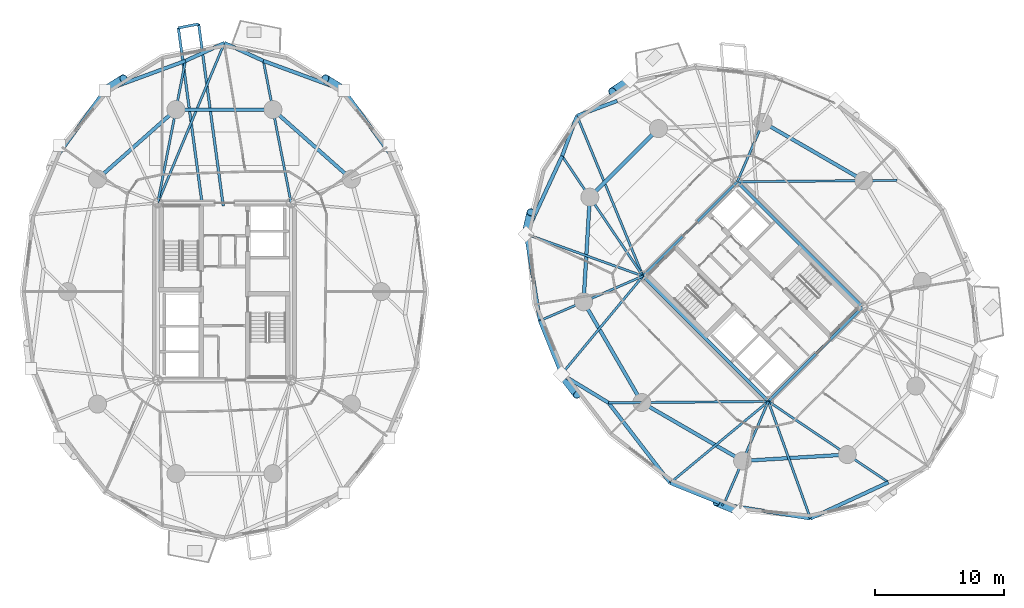
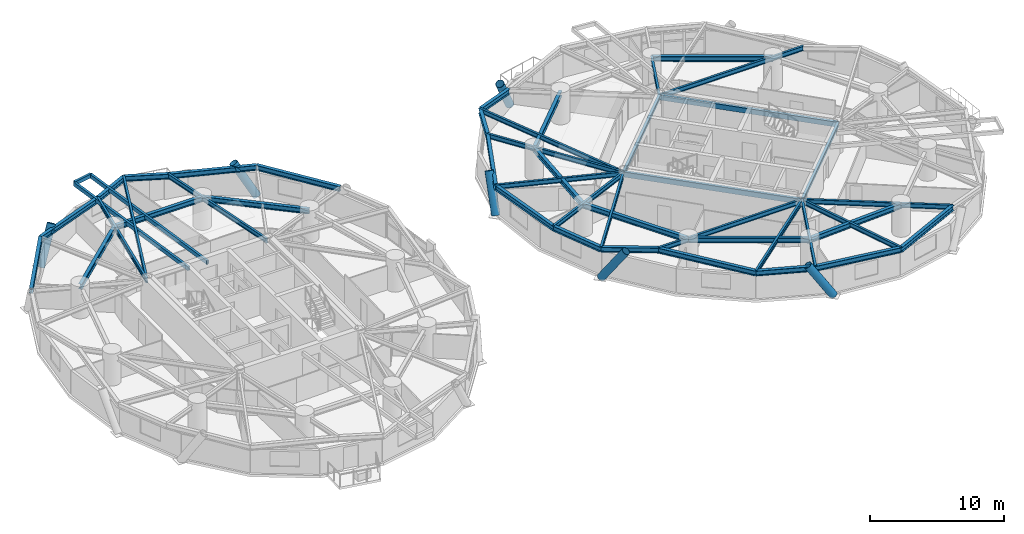
# One storey, part 5 of 18: 48 beams, 6 members.
"""IFC4 building model written with IfcOpenShell, lengths in metres."""

from ifc_helpers import new_model, si_unit, direction, frame, origin, origin_2d, place, context, subcontext, project, spatial, hollow_rectangle, hollow_circle, i_section, extrude, material, material_profile, profile_set, type_object, element, save


model = new_model("IFC4")

# Units and contexts
model_context = context("Model", 3, precision=1e-05, world=origin(), true_north=direction((0.0, 1.0)))
body_context = subcontext(model_context, "Body", "Model", "MODEL_VIEW")
ifc_project = project(units=[si_unit("LENGTHUNIT", "METRE"), si_unit("AREAUNIT", "SQUARE_METRE"), si_unit("VOLUMEUNIT", "CUBIC_METRE"), si_unit("PLANEANGLEUNIT", "RADIAN"), si_unit("MASSUNIT", "GRAM", prefix="KILO")], contexts=[model_context])

# Site, building, storey
site_placement = place(None, origin())
site = spatial("IfcSite", under=ifc_project, at=site_placement, CompositionType="ELEMENT")
building_placement = place(site_placement, origin())
building = spatial("IfcBuilding", under=site, at=building_placement, Name="Cununo Teusaquillo Station Towers", CompositionType="ELEMENT")
storey_placement = place(building_placement, frame((0.0, 0.0, 102.159912109375)))
storey = spatial("IfcBuildingStorey", under=building, at=storey_placement, Name="L32", CompositionType="ELEMENT", Elevation=102.159912109375)

# Beams
ifc_material_1 = material(Name="Steel EN 10025-2 S355J2", Category="steel")
ifc_material_profile_1 = material_profile(ifc_material_1, hollow_rectangle(XDim=0.199951171875, YDim=0.35009765625, WallThickness=0.013916015625, at=origin_2d()), Name="RHS 350x200x14")
ifc_profile_set_1 = profile_set([ifc_material_profile_1], Name="Steel EN 10025-2 S355J2")
beam_type_1 = type_object("IfcBeamType", Name="BM-BAL-CANT", PredefinedType="BEAM", material=ifc_profile_set_1)
beam_1_placement = place(storey_placement, frame((16.40869140625, 31.14990234375, 2.4951171875), z_axis=(-0.133936551357, 0.990989909237, 0.0), x_axis=(-0.990989909237, -0.133936551357, 0.0)))
element("IfcBeam", 1, at=beam_1_placement, inside=storey, type_object=beam_type_1, Name="L32 Tower A Balcony Cantilever Bracket 1A", PredefinedType="BEAM", context=body_context, shape_type="SweptSolid", body=[
    extrude(hollow_rectangle(XDim=0.199951171875, YDim=0.35009765625, WallThickness=0.013916015625, at=origin_2d()), origin(), (0.0, 0.0, 1.0), 14.24169921875),
])
beam_2_placement = place(storey_placement, frame((14.793701171875, 31.14990234375, 2.4951171875), z_axis=(-0.133960678738, 0.990986648019, 0.0), x_axis=(-0.990986648019, -0.133960678738, 0.0)))
element("IfcBeam", 2, at=beam_2_placement, inside=storey, type_object=beam_type_1, Name="L32 Tower A Balcony Cantilever Bracket 1B", PredefinedType="BEAM", context=body_context, shape_type="SweptSolid", body=[
    extrude(hollow_rectangle(XDim=0.199951171875, YDim=0.35009765625, WallThickness=0.013916015625, at=origin_2d()), origin(), (0.0, 0.0, 1.0), 13.9345703125),
])
ifc_material_2 = material(Name="Steel EN 10025-2 S355J2", Category="steel")
ifc_material_profile_2 = material_profile(ifc_material_2, hollow_rectangle(XDim=0.25, YDim=0.449951171875, WallThickness=0.01611328125, at=origin_2d()), Name="RHS 450x250x16")
ifc_profile_set_2 = profile_set([ifc_material_profile_2], Name="Steel EN 10025-2 S355J2")
beam_type_2 = type_object("IfcBeamType", Name="BM-COUP-1", PredefinedType="USERDEFINED", material=ifc_profile_set_2)
for number, where, z_axis, x_axis, name in (
    (3, (58.70556640625, 15.975830078125, 2.445068359375), (-0.707106781187, 0.707106781187, 0.0), (-0.707106781187, -0.707106781187, 0.0), "L32 Tower B Core Beam 1"),
    (4, (66.024169921875, 23.29443359375, 2.445068359375), (-0.707106781187, 0.707106781187, 0.0), (-0.707106781187, -0.707106781187, 0.0), "L32 Tower B Core Beam 2"),
):
    element("IfcBeam", number, at=place(storey_placement, frame(where, z_axis=z_axis, x_axis=x_axis)), inside=storey, type_object=beam_type_2, Name=name, ObjectType="COUPLING BEAM", PredefinedType="USERDEFINED", context=body_context, shape_type="SweptSolid", body=[
        extrude(hollow_rectangle(XDim=0.25, YDim=0.449951171875, WallThickness=0.01611328125, at=origin_2d()), origin(), (0.0, 0.0, 1.0), 13.760009765625),
    ])
ifc_material_3 = material(Name="Steel ASTM A572 Grade 50", Category="steel")
ifc_material_profile_3 = material_profile(ifc_material_3, i_section(OverallWidth=0.180908203125, OverallDepth=0.4169921875, WebThickness=0.010986328125, FlangeThickness=0.018310546875, FilletRadius=0.012939453125, at=origin_2d()), Name="W16X57")
ifc_profile_set_3 = profile_set([ifc_material_profile_3], Name="Steel ASTM A572 Grade 50")
beam_type_3 = type_object("IfcBeamType", Name="BM-JOIST-1", PredefinedType="JOIST", material=ifc_profile_set_3)
beam_3_placement = place(storey_placement, frame((11.324951171875, 31.3798828125, 2.461669921875), z_axis=(0.38487837995, 0.922967297713, 0.0), x_axis=(-0.922967297713, 0.38487837995, 0.0)))
element("IfcBeam", 5, at=beam_3_placement, inside=storey, type_object=beam_type_3, Name="L32 Tower A Radial Spandrel Joist V05", PredefinedType="JOIST", context=body_context, shape_type="SweptSolid", body=[
    extrude(i_section(OverallWidth=0.180908203125, OverallDepth=0.4169921875, WebThickness=0.010986328125, FlangeThickness=0.018310546875, FilletRadius=0.012939453125, at=origin_2d()), origin(), (0.0, 0.0, 1.0), 13.446044921875),
])
beam_4_placement = place(storey_placement, frame((48.975830078125, 25.70556640625, 2.461669921875), z_axis=(-0.380485864505, 0.924786735908, 0.0), x_axis=(-0.924786735908, -0.380485864505, 0.0)))
element("IfcBeam", 6, at=beam_4_placement, inside=storey, type_object=beam_type_3, Name="L32 Tower B Radial Spandrel Joist V05", PredefinedType="JOIST", context=body_context, shape_type="SweptSolid", body=[
    extrude(i_section(OverallWidth=0.180908203125, OverallDepth=0.4169921875, WebThickness=0.010986328125, FlangeThickness=0.018310546875, FilletRadius=0.012939453125, at=origin_2d()), origin(), (0.0, 0.0, 1.0), 13.44580078125),
])
beam_5_placement = place(storey_placement, frame((48.975830078125, 25.70556640625, 2.461669921875), z_axis=(-0.941082771055, 0.338176312038, 0.0), x_axis=(-0.338176312038, -0.941082771055, 0.0)))
element("IfcBeam", 7, at=beam_5_placement, inside=storey, type_object=beam_type_3, Name="L32 Tower B Radial Spandrel Joist V07", PredefinedType="JOIST", context=body_context, shape_type="SweptSolid", body=[
    extrude(i_section(OverallWidth=0.180908203125, OverallDepth=0.4169921875, WebThickness=0.010986328125, FlangeThickness=0.018310546875, FilletRadius=0.012939453125, at=origin_2d()), origin(), (0.0, 0.0, 1.0), 9.646484375),
])
for number, where, z_axis, x_axis, name in (
    (8, (48.975830078125, 25.70556640625, 2.461669921875), (-0.638372238196, -0.769727799615, 0.0), (0.769727799615, -0.638372238196, 0.0), "L32 Tower B Radial Spandrel Joist V09"),
    (9, (58.70556640625, 15.975830078125, 2.461669921875), (-0.769727799615, -0.638372238196, 0.0), (0.638372238196, -0.769727799615, 0.0), "L32 Tower B Radial Spandrel Joist V11"),
):
    element("IfcBeam", number, at=place(storey_placement, frame(where, z_axis=z_axis, x_axis=x_axis)), inside=storey, type_object=beam_type_3, Name=name, PredefinedType="JOIST", context=body_context, shape_type="SweptSolid", body=[
        extrude(i_section(OverallWidth=0.180908203125, OverallDepth=0.4169921875, WebThickness=0.010986328125, FlangeThickness=0.018310546875, FilletRadius=0.012939453125, at=origin_2d()), origin(), (0.0, 0.0, 1.0), 9.895263671875),
    ])
beam_6_placement = place(storey_placement, frame((58.70556640625, 15.975830078125, 2.461669921875), z_axis=(0.338176312038, -0.941082771055, 0.0), x_axis=(0.941082771055, 0.338176312038, 0.0)))
element("IfcBeam", 10, at=beam_6_placement, inside=storey, type_object=beam_type_3, Name="L32 Tower B Radial Spandrel Joist V13", PredefinedType="JOIST", context=body_context, shape_type="SweptSolid", body=[
    extrude(i_section(OverallWidth=0.180908203125, OverallDepth=0.4169921875, WebThickness=0.010986328125, FlangeThickness=0.018310546875, FilletRadius=0.012939453125, at=origin_2d()), origin(), (0.0, 0.0, 1.0), 9.646484375),
])
ifc_material_4 = material(Name="Steel ASTM A572 Grade 50", Category="steel")
ifc_material_profile_4 = material_profile(ifc_material_4, i_section(OverallWidth=0.2041015625, OverallDepth=0.35009765625, WebThickness=0.008544921875, FlangeThickness=0.01513671875, FilletRadius=0.011962890625, at=origin_2d()), Name="W14X48")
ifc_profile_set_4 = profile_set([ifc_material_profile_4], Name="Steel ASTM A572 Grade 50")
beam_type_4 = type_object("IfcBeamType", Name="BM-LINTEL-1", PredefinedType="LINTEL", material=ifc_profile_set_4)
for number, where, z_axis, x_axis, name in (
    (11, (58.70556640625, 15.975830078125, 2.4951171875), (0.707106781187, 0.707106781187, 0.0), (-0.707106781187, 0.707106781187, 0.0), "L32 Tower B Core Beam 3"),
    (12, (48.975830078125, 25.70556640625, 2.4951171875), (0.707106781187, 0.707106781187, 0.0), (-0.707106781187, 0.707106781187, 0.0), "L32 Tower B Core Beam 4"),
):
    element("IfcBeam", number, at=place(storey_placement, frame(where, z_axis=z_axis, x_axis=x_axis)), inside=storey, type_object=beam_type_4, Name=name, PredefinedType="LINTEL", context=body_context, shape_type="SweptSolid", body=[
        extrude(i_section(OverallWidth=0.2041015625, OverallDepth=0.35009765625, WebThickness=0.008544921875, FlangeThickness=0.01513671875, FilletRadius=0.011962890625, at=origin_2d()), origin(), (0.0, 0.0, 1.0), 10.35009765625),
    ])
ifc_material_5 = material(Name="Steel ASTM A572 Grade 50", Category="steel")
ifc_material_profile_5 = material_profile(ifc_material_5, i_section(OverallWidth=0.180908203125, OverallDepth=0.4169921875, WebThickness=0.010986328125, FlangeThickness=0.018310546875, FilletRadius=0.012939453125, at=origin_2d()), Name="W16X57")
ifc_profile_set_5 = profile_set([ifc_material_profile_5], Name="Steel ASTM A572 Grade 50")
beam_type_5 = type_object("IfcBeamType", Name="BM-RAD-G2", PredefinedType="BEAM", material=ifc_profile_set_5)
for number, where, z_axis, x_axis, name in (
    (13, (21.675048828125, 31.3798828125, 2.461669921875), (-0.191552755713, 0.981482318628, 0.0), (-0.981482318628, -0.191552755713, 0.0), "L32 Tower A Continuous Overhanging Radial Girder 03"),
    (14, (11.324951171875, 31.3798828125, 2.461669921875), (0.191552755713, 0.981482318628, 0.0), (-0.981482318628, 0.191552755713, 0.0), "L32 Tower A Continuous Overhanging Radial Girder 04"),
):
    element("IfcBeam", number, at=place(storey_placement, frame(where, z_axis=z_axis, x_axis=x_axis)), inside=storey, type_object=beam_type_5, Name=name, PredefinedType="BEAM", context=body_context, shape_type="SweptSolid", body=[
        extrude(i_section(OverallWidth=0.180908203125, OverallDepth=0.4169921875, WebThickness=0.010986328125, FlangeThickness=0.018310546875, FilletRadius=0.012939453125, at=origin_2d()), origin(), (0.0, 0.0, 1.0), 11.22998046875),
    ])
beam_7_placement = place(storey_placement, frame((56.29443359375, 33.024169921875, 2.461669921875), z_axis=(0.999964331255, 0.008446077024, 0.0), x_axis=(-0.008446077024, 0.999964331255, 0.0)))
element("IfcBeam", 15, at=beam_7_placement, inside=storey, type_object=beam_type_5, Name="L32 Tower B Continuous Overhanging Radial Girder 01", PredefinedType="BEAM", context=body_context, shape_type="SweptSolid", body=[
    extrude(i_section(OverallWidth=0.180908203125, OverallDepth=0.4169921875, WebThickness=0.010986328125, FlangeThickness=0.018310546875, FilletRadius=0.012939453125, at=origin_2d()), origin(), (0.0, 0.0, 1.0), 12.400634765625),
])
beam_8_placement = place(storey_placement, frame((56.29443359375, 33.024169921875, 2.461669921875), z_axis=(0.397346986387, 0.917668443616, 0.0), x_axis=(-0.917668443616, 0.397346986387, 0.0)))
element("IfcBeam", 16, at=beam_8_placement, inside=storey, type_object=beam_type_5, Name="L32 Tower B Radial Girder 02A", PredefinedType="BEAM", context=body_context, shape_type="SweptSolid", body=[
    extrude(i_section(OverallWidth=0.180908203125, OverallDepth=0.4169921875, WebThickness=0.010986328125, FlangeThickness=0.018310546875, FilletRadius=0.012939453125, at=origin_2d()), origin(), (0.0, 0.0, 1.0), 5.02490234375),
])
beam_9_placement = place(storey_placement, frame((48.975830078125, 25.70556640625, 2.461669921875), z_axis=(-0.558572297481, 0.82945583878, 0.0), x_axis=(-0.82945583878, -0.558572297481, 0.0)))
element("IfcBeam", 17, at=beam_9_placement, inside=storey, type_object=beam_type_5, Name="L32 Tower B Continuous Overhanging Radial Girder 04", PredefinedType="BEAM", context=body_context, shape_type="SweptSolid", body=[
    extrude(i_section(OverallWidth=0.180908203125, OverallDepth=0.4169921875, WebThickness=0.010986328125, FlangeThickness=0.018310546875, FilletRadius=0.012939453125, at=origin_2d()), origin(), (0.0, 0.0, 1.0), 11.22998046875),
])
beam_10_placement = place(storey_placement, frame((48.975830078125, 25.70556640625, 2.461669921875), z_axis=(-0.917654733344, -0.397378648609, 0.0), x_axis=(0.397378648609, -0.917654733344, 0.0)))
element("IfcBeam", 18, at=beam_10_placement, inside=storey, type_object=beam_type_5, Name="L32 Tower B Continuous Overhanging Radial Girder 05", PredefinedType="BEAM", context=body_context, shape_type="SweptSolid", body=[
    extrude(i_section(OverallWidth=0.180908203125, OverallDepth=0.4169921875, WebThickness=0.010986328125, FlangeThickness=0.018310546875, FilletRadius=0.012939453125, at=origin_2d()), origin(), (0.0, 0.0, 1.0), 8.71484375),
])
beam_11_placement = place(storey_placement, frame((58.70556640625, 15.975830078125, 2.461669921875), z_axis=(-0.999964431382, -0.008434214327, 0.0), x_axis=(0.008434214327, -0.999964431382, 0.0)))
element("IfcBeam", 19, at=beam_11_placement, inside=storey, type_object=beam_type_5, Name="L32 Tower B Radial Girder 06A", PredefinedType="BEAM", context=body_context, shape_type="SweptSolid", body=[
    extrude(i_section(OverallWidth=0.180908203125, OverallDepth=0.4169921875, WebThickness=0.010986328125, FlangeThickness=0.018310546875, FilletRadius=0.012939453125, at=origin_2d()), origin(), (0.0, 0.0, 1.0), 9.812744140625),
])
beam_12_placement = place(storey_placement, frame((48.89306640625, 15.89306640625, 2.461669921875), z_axis=(-0.999963950292, -0.008491060999, 0.0), x_axis=(0.008491060999, -0.999963950292, 0.0)))
element("IfcBeam", 20, at=beam_12_placement, inside=storey, type_object=beam_type_5, Name="L32 Tower B Perimeter Overhang Girder 06B", PredefinedType="BEAM", context=body_context, shape_type="SweptSolid", body=[
    extrude(i_section(OverallWidth=0.180908203125, OverallDepth=0.4169921875, WebThickness=0.010986328125, FlangeThickness=0.018310546875, FilletRadius=0.012939453125, at=origin_2d()), origin(), (0.0, 0.0, 1.0), 2.587646484375),
])
beam_13_placement = place(storey_placement, frame((58.70556640625, 15.975830078125, 2.461669921875), z_axis=(-0.397378648609, -0.917654733344, 0.0), x_axis=(0.917654733344, -0.397378648609, 0.0)))
element("IfcBeam", 21, at=beam_13_placement, inside=storey, type_object=beam_type_5, Name="L32 Tower B Continuous Overhanging Radial Girder 07", PredefinedType="BEAM", context=body_context, shape_type="SweptSolid", body=[
    extrude(i_section(OverallWidth=0.180908203125, OverallDepth=0.4169921875, WebThickness=0.010986328125, FlangeThickness=0.018310546875, FilletRadius=0.012939453125, at=origin_2d()), origin(), (0.0, 0.0, 1.0), 8.71484375),
])
beam_14_placement = place(storey_placement, frame((58.70556640625, 15.975830078125, 2.461669921875), z_axis=(0.82945583878, -0.558572297481, 0.0), x_axis=(0.558572297481, 0.82945583878, 0.0)))
element("IfcBeam", 22, at=beam_14_placement, inside=storey, type_object=beam_type_5, Name="L32 Tower B Continuous Overhanging Radial Girder 08", PredefinedType="BEAM", context=body_context, shape_type="SweptSolid", body=[
    extrude(i_section(OverallWidth=0.180908203125, OverallDepth=0.4169921875, WebThickness=0.010986328125, FlangeThickness=0.018310546875, FilletRadius=0.012939453125, at=origin_2d()), origin(), (0.0, 0.0, 1.0), 11.22998046875),
])
ifc_material_6 = material(Name="Steel ASTM A572 Grade 50", Category="steel")
ifc_material_profile_6 = material_profile(ifc_material_6, i_section(OverallWidth=0.280029296875, OverallDepth=0.462890625, WebThickness=0.0107421875, FlangeThickness=0.017333984375, FilletRadius=0.013916015625, at=origin_2d()), Name="W18X76")
ifc_profile_set_6 = profile_set([ifc_material_profile_6], Name="Steel ASTM A572 Grade 50")
beam_type_6 = type_object("IfcBeamType", Name="BM-RING-Z2", PredefinedType="SPANDREL", material=ifc_profile_set_6)
beam_15_placement = place(storey_placement, frame((26.347412109375, 33.228515625, 2.4384765625), z_axis=(-0.74832120039, 0.66333655187, 0.0), x_axis=(-0.66333655187, -0.74832120039, 0.0)))
element("IfcBeam", 23, at=beam_15_placement, inside=storey, type_object=beam_type_6, Name="L32 Tower A Structural Column Ring Girder 02", PredefinedType="SPANDREL", context=body_context, shape_type="SweptSolid", body=[
    extrude(i_section(OverallWidth=0.280029296875, OverallDepth=0.462890625, WebThickness=0.0107421875, FlangeThickness=0.017333984375, FilletRadius=0.013916015625, at=origin_2d()), origin(), (0.0, 0.0, 1.0), 8.1328125),
])
beam_16_placement = place(storey_placement, frame((20.261474609375, 38.623291015625, 2.4384765625), z_axis=(-1.0, 0.0, 0.0), x_axis=(0.0, -1.0, 0.0)))
element("IfcBeam", 24, at=beam_16_placement, inside=storey, type_object=beam_type_6, Name="L32 Tower A Structural Column Ring Girder 03", PredefinedType="SPANDREL", context=body_context, shape_type="SweptSolid", body=[
    extrude(i_section(OverallWidth=0.280029296875, OverallDepth=0.462890625, WebThickness=0.0107421875, FlangeThickness=0.017333984375, FilletRadius=0.013916015625, at=origin_2d()), origin(), (0.0, 0.0, 1.0), 7.52294921875),
])
beam_17_placement = place(storey_placement, frame((12.738525390625, 38.623291015625, 2.4384765625), z_axis=(-0.74832120039, -0.66333655187, 0.0), x_axis=(0.66333655187, -0.74832120039, 0.0)))
element("IfcBeam", 25, at=beam_17_placement, inside=storey, type_object=beam_type_6, Name="L32 Tower A Structural Column Ring Girder 04", PredefinedType="SPANDREL", context=body_context, shape_type="SweptSolid", body=[
    extrude(i_section(OverallWidth=0.280029296875, OverallDepth=0.462890625, WebThickness=0.0107421875, FlangeThickness=0.017333984375, FilletRadius=0.013916015625, at=origin_2d()), origin(), (0.0, 0.0, 1.0), 8.1328125),
])
beam_18_placement = place(storey_placement, frame((29.77880859375, 34.586181640625, 2.4384765625), z_axis=(-0.58594455724, 0.810351143543, 0.0), x_axis=(-0.810351143543, -0.58594455724, 0.0)))
element("IfcBeam", 26, at=beam_18_placement, inside=storey, type_object=beam_type_6, Name="L32 Tower A Spandrel Ring Beam 03", PredefinedType="SPANDREL", context=body_context, shape_type="SweptSolid", body=[
    extrude(i_section(OverallWidth=0.280029296875, OverallDepth=0.462890625, WebThickness=0.0107421875, FlangeThickness=0.017333984375, FilletRadius=0.013916015625, at=origin_2d()), origin(), (0.0, 0.0, 1.0), 6.8115234375),
])
beam_19_placement = place(storey_placement, frame((25.78759765625, 40.10595703125, 2.4384765625), z_axis=(-0.938914161016, 0.34415141761, 0.0), x_axis=(-0.34415141761, -0.938914161016, 0.0)))
element("IfcBeam", 27, at=beam_19_placement, inside=storey, type_object=beam_type_6, Name="L32 Tower A Spandrel Ring Beam 04", PredefinedType="SPANDREL", context=body_context, shape_type="SweptSolid", body=[
    extrude(i_section(OverallWidth=0.280029296875, OverallDepth=0.462890625, WebThickness=0.0107421875, FlangeThickness=0.017333984375, FilletRadius=0.013916015625, at=origin_2d()), origin(), (0.0, 0.0, 1.0), 6.671142578125),
])
for number, where, z_axis, x_axis, name in (
    (28, (19.52392578125, 42.40185546875, 2.4384765625), (-0.908812215281, 0.417205413862, 0.0), (-0.417205413862, -0.908812215281, 0.0), "L32 Tower A Spandrel Ring Beam 05"),
    (29, (16.5, 43.7900390625, 2.4384765625), (-0.908812215281, -0.417205413862, 0.0), (0.417205413862, -0.908812215281, 0.0), "L32 Tower A Spandrel Ring Beam 06"),
):
    element("IfcBeam", number, at=place(storey_placement, frame(where, z_axis=z_axis, x_axis=x_axis)), inside=storey, type_object=beam_type_6, Name=name, PredefinedType="SPANDREL", context=body_context, shape_type="SweptSolid", body=[
        extrude(i_section(OverallWidth=0.280029296875, OverallDepth=0.462890625, WebThickness=0.0107421875, FlangeThickness=0.017333984375, FilletRadius=0.013916015625, at=origin_2d()), origin(), (0.0, 0.0, 1.0), 3.327392578125),
    ])
beam_20_placement = place(storey_placement, frame((13.47607421875, 42.40185546875, 2.4384765625), z_axis=(-0.938914161016, -0.34415141761, 0.0), x_axis=(0.34415141761, -0.938914161016, 0.0)))
element("IfcBeam", 30, at=beam_20_placement, inside=storey, type_object=beam_type_6, Name="L32 Tower A Spandrel Ring Beam 07", PredefinedType="SPANDREL", context=body_context, shape_type="SweptSolid", body=[
    extrude(i_section(OverallWidth=0.280029296875, OverallDepth=0.462890625, WebThickness=0.0107421875, FlangeThickness=0.017333984375, FilletRadius=0.013916015625, at=origin_2d()), origin(), (0.0, 0.0, 1.0), 6.671142578125),
])
beam_21_placement = place(storey_placement, frame((7.21240234375, 40.10595703125, 2.4384765625), z_axis=(-0.58594455724, -0.810351143543, 0.0), x_axis=(0.810351143543, -0.58594455724, 0.0)))
element("IfcBeam", 31, at=beam_21_placement, inside=storey, type_object=beam_type_6, Name="L32 Tower A Spandrel Ring Beam 08", PredefinedType="SPANDREL", context=body_context, shape_type="SweptSolid", body=[
    extrude(i_section(OverallWidth=0.280029296875, OverallDepth=0.462890625, WebThickness=0.0107421875, FlangeThickness=0.017333984375, FilletRadius=0.013916015625, at=origin_2d()), origin(), (0.0, 0.0, 1.0), 6.8115234375),
])
beam_22_placement = place(storey_placement, frame((66.10693359375, 33.10693359375, 2.4384765625), z_axis=(-0.865267103202, 0.501311121078, 0.0), x_axis=(-0.501311121078, -0.865267103202, 0.0)))
element("IfcBeam", 32, at=beam_22_placement, inside=storey, type_object=beam_type_6, Name="L32 Tower B Structural Column Ring Girder 01", PredefinedType="SPANDREL", context=body_context, shape_type="SweptSolid", body=[
    extrude(i_section(OverallWidth=0.280029296875, OverallDepth=0.462890625, WebThickness=0.0107421875, FlangeThickness=0.017333984375, FilletRadius=0.013916015625, at=origin_2d()), origin(), (0.0, 0.0, 1.0), 9.032958984375),
])
beam_23_placement = place(storey_placement, frame((50.173095703125, 37.146240234375, 2.4384765625), z_axis=(-0.707106781187, -0.707106781187, 0.0), x_axis=(0.707106781187, -0.707106781187, 0.0)))
element("IfcBeam", 33, at=beam_23_placement, inside=storey, type_object=beam_type_6, Name="L32 Tower B Structural Column Ring Girder 03", PredefinedType="SPANDREL", context=body_context, shape_type="SweptSolid", body=[
    extrude(i_section(OverallWidth=0.280029296875, OverallDepth=0.462890625, WebThickness=0.0107421875, FlangeThickness=0.017333984375, FilletRadius=0.013916015625, at=origin_2d()), origin(), (0.0, 0.0, 1.0), 7.522705078125),
])
beam_24_placement = place(storey_placement, frame((44.853759765625, 31.826904296875, 2.4384765625), z_axis=(-0.06012979176, -0.998190567048, 0.0), x_axis=(0.998190567048, -0.06012979176, 0.0)))
element("IfcBeam", 34, at=beam_24_placement, inside=storey, type_object=beam_type_6, Name="L32 Tower B Structural Column Ring Girder 04", PredefinedType="SPANDREL", context=body_context, shape_type="SweptSolid", body=[
    extrude(i_section(OverallWidth=0.280029296875, OverallDepth=0.462890625, WebThickness=0.0107421875, FlangeThickness=0.017333984375, FilletRadius=0.013916015625, at=origin_2d()), origin(), (0.0, 0.0, 1.0), 8.132568359375),
])
for number, where, z_axis, x_axis, name in (
    (35, (44.36474609375, 23.708984375, 2.4384765625), (0.501311121078, -0.865267103202, 0.0), (0.865267103202, 0.501311121078, 0.0), "L32 Tower B Structural Column Ring Girder 05"),
    (36, (48.89306640625, 15.89306640625, 2.4384765625), (0.865267103202, -0.501311121078, 0.0), (0.501311121078, 0.865267103202, 0.0), "L32 Tower B Structural Column Ring Girder 06"),
):
    element("IfcBeam", number, at=place(storey_placement, frame(where, z_axis=z_axis, x_axis=x_axis)), inside=storey, type_object=beam_type_6, Name=name, PredefinedType="SPANDREL", context=body_context, shape_type="SweptSolid", body=[
        extrude(i_section(OverallWidth=0.280029296875, OverallDepth=0.462890625, WebThickness=0.0107421875, FlangeThickness=0.017333984375, FilletRadius=0.013916015625, at=origin_2d()), origin(), (0.0, 0.0, 1.0), 9.032958984375),
    ])
beam_25_placement = place(storey_placement, frame((56.708984375, 11.36474609375, 2.4384765625), z_axis=(0.998190567048, 0.06012979176, 0.0), x_axis=(-0.06012979176, 0.998190567048, 0.0)))
element("IfcBeam", 37, at=beam_25_placement, inside=storey, type_object=beam_type_6, Name="L32 Tower B Structural Column Ring Girder 07", PredefinedType="SPANDREL", context=body_context, shape_type="SweptSolid", body=[
    extrude(i_section(OverallWidth=0.280029296875, OverallDepth=0.462890625, WebThickness=0.0107421875, FlangeThickness=0.017333984375, FilletRadius=0.013916015625, at=origin_2d()), origin(), (0.0, 0.0, 1.0), 8.132568359375),
])
for number, where, z_axis, x_axis, name in (
    (38, (46.979736328125, 39.296875, 2.4384765625), (-0.937628334414, -0.347639333943, 0.0), (0.347639333943, -0.937628334414, 0.0), "L32 Tower B Spandrel Ring Beam 05"),
    (39, (43.85986328125, 38.14013671875, 2.4384765625), (-0.347639333943, -0.937628334414, 0.0), (0.937628334414, -0.347639333943, 0.0), "L32 Tower B Spandrel Ring Beam 06"),
):
    element("IfcBeam", number, at=place(storey_placement, frame(where, z_axis=z_axis, x_axis=x_axis)), inside=storey, type_object=beam_type_6, Name=name, PredefinedType="SPANDREL", context=body_context, shape_type="SweptSolid", body=[
        extrude(i_section(OverallWidth=0.280029296875, OverallDepth=0.462890625, WebThickness=0.0107421875, FlangeThickness=0.017333984375, FilletRadius=0.013916015625, at=origin_2d()), origin(), (0.0, 0.0, 1.0), 3.327392578125),
    ])
beam_26_placement = place(storey_placement, frame((42.703125, 35.020263671875, 2.4384765625), z_axis=(-0.420535961689, -0.907275870354, 0.0), x_axis=(0.907275870354, -0.420535961689, 0.0)))
element("IfcBeam", 40, at=beam_26_placement, inside=storey, type_object=beam_type_6, Name="L32 Tower B Spandrel Ring Beam 07", PredefinedType="SPANDREL", context=body_context, shape_type="SweptSolid", body=[
    extrude(i_section(OverallWidth=0.280029296875, OverallDepth=0.462890625, WebThickness=0.0107421875, FlangeThickness=0.017333984375, FilletRadius=0.013916015625, at=origin_2d()), origin(), (0.0, 0.0, 1.0), 6.671142578125),
])
beam_27_placement = place(storey_placement, frame((39.897705078125, 28.9677734375, 2.4384765625), z_axis=(0.158671232312, -0.987331474246, 0.0), x_axis=(0.987331474246, 0.158671232312, 0.0)))
element("IfcBeam", 41, at=beam_27_placement, inside=storey, type_object=beam_type_6, Name="L32 Tower B Spandrel Ring Beam 08", PredefinedType="SPANDREL", context=body_context, shape_type="SweptSolid", body=[
    extrude(i_section(OverallWidth=0.280029296875, OverallDepth=0.462890625, WebThickness=0.0107421875, FlangeThickness=0.017333984375, FilletRadius=0.013916015625, at=origin_2d()), origin(), (0.0, 0.0, 1.0), 6.8115234375),
])
beam_28_placement = place(storey_placement, frame((40.978515625, 22.242431640625, 2.4384765625), z_axis=(0.375042266631, -0.927007712072, 0.0), x_axis=(0.927007712072, 0.375042266631, 0.0)))
element("IfcBeam", 42, at=beam_28_placement, inside=storey, type_object=beam_type_6, Name="L32 Tower B Spandrel Ring Beam 09", PredefinedType="SPANDREL", context=body_context, shape_type="SweptSolid", body=[
    extrude(i_section(OverallWidth=0.280029296875, OverallDepth=0.462890625, WebThickness=0.0107421875, FlangeThickness=0.017333984375, FilletRadius=0.013916015625, at=origin_2d()), origin(), (0.0, 0.0, 1.0), 4.480712890625),
])
beam_29_placement = place(storey_placement, frame((42.658935546875, 18.0888671875, 2.4384765625), z_axis=(0.854388492444, -0.519634779416, 0.0), x_axis=(0.519634779416, 0.854388492444, 0.0)))
element("IfcBeam", 43, at=beam_29_placement, inside=storey, type_object=beam_type_6, Name="L32 Tower B Spandrel Ring Beam 10", PredefinedType="SPANDREL", context=body_context, shape_type="SweptSolid", body=[
    extrude(i_section(OverallWidth=0.280029296875, OverallDepth=0.462890625, WebThickness=0.0107421875, FlangeThickness=0.017333984375, FilletRadius=0.013916015625, at=origin_2d()), origin(), (0.0, 0.0, 1.0), 4.26806640625),
])
beam_30_placement = place(storey_placement, frame((46.305419921875, 15.87109375, 2.4384765625), z_axis=(0.610100441726, -0.792324082056, 0.0), x_axis=(0.792324082056, 0.610100441726, 0.0)))
element("IfcBeam", 44, at=beam_30_placement, inside=storey, type_object=beam_type_6, Name="L32 Tower B Spandrel Ring Beam 11", PredefinedType="SPANDREL", context=body_context, shape_type="SweptSolid", body=[
    extrude(i_section(OverallWidth=0.280029296875, OverallDepth=0.462890625, WebThickness=0.0107421875, FlangeThickness=0.017333984375, FilletRadius=0.013916015625, at=origin_2d()), origin(), (0.0, 0.0, 1.0), 7.84033203125),
])
beam_31_placement = place(storey_placement, frame((51.0888671875, 9.658935546875, 2.4384765625), z_axis=(0.927007712072, -0.375042266631, 0.0), x_axis=(0.375042266631, 0.927007712072, 0.0)))
element("IfcBeam", 45, at=beam_31_placement, inside=storey, type_object=beam_type_6, Name="L32 Tower B Spandrel Ring Beam 12", PredefinedType="SPANDREL", context=body_context, shape_type="SweptSolid", body=[
    extrude(i_section(OverallWidth=0.280029296875, OverallDepth=0.462890625, WebThickness=0.0107421875, FlangeThickness=0.017333984375, FilletRadius=0.013916015625, at=origin_2d()), origin(), (0.0, 0.0, 1.0), 4.480712890625),
])
beam_32_placement = place(storey_placement, frame((55.242431640625, 7.978515625, 2.4384765625), z_axis=(0.987331474246, -0.158671232312, 0.0), x_axis=(0.158671232312, 0.987331474246, 0.0)))
element("IfcBeam", 46, at=beam_32_placement, inside=storey, type_object=beam_type_6, Name="L32 Tower B Spandrel Ring Beam 13", PredefinedType="SPANDREL", context=body_context, shape_type="SweptSolid", body=[
    extrude(i_section(OverallWidth=0.280029296875, OverallDepth=0.462890625, WebThickness=0.0107421875, FlangeThickness=0.017333984375, FilletRadius=0.013916015625, at=origin_2d()), origin(), (0.0, 0.0, 1.0), 6.8115234375),
])
beam_33_placement = place(storey_placement, frame((61.9677734375, 6.897705078125, 2.4384765625), z_axis=(0.907275870354, 0.420535961689, 0.0), x_axis=(-0.420535961689, 0.907275870354, 0.0)))
element("IfcBeam", 47, at=beam_33_placement, inside=storey, type_object=beam_type_6, Name="L32 Tower B Spandrel Ring Beam 14", PredefinedType="SPANDREL", context=body_context, shape_type="SweptSolid", body=[
    extrude(i_section(OverallWidth=0.280029296875, OverallDepth=0.462890625, WebThickness=0.0107421875, FlangeThickness=0.017333984375, FilletRadius=0.013916015625, at=origin_2d()), origin(), (0.0, 0.0, 1.0), 6.671142578125),
])
ifc_material_7 = material(Name="Steel EN 10025-2 S355J2", Category="steel")
ifc_material_profile_7 = material_profile(ifc_material_7, hollow_rectangle(XDim=0.199951171875, YDim=0.35009765625, WallThickness=0.013916015625, at=origin_2d()), Name="RHS 350x200x14")
ifc_profile_set_7 = profile_set([ifc_material_profile_7], Name="Steel EN 10025-2 S355J2")
beam_type_7 = type_object("IfcBeamType", Name="BM-STAIR-TRIM", PredefinedType="BEAM", material=ifc_profile_set_7)
beam_34_placement = place(storey_placement, frame((14.501220703125, 45.26318359375, 2.525146484375), z_axis=(-0.981836621572, -0.189728354603, 0.0), x_axis=(0.189728354603, -0.981836621572, 0.0)))
element("IfcBeam", 48, at=beam_34_placement, inside=storey, type_object=beam_type_7, Name="L32 Tower A Balcony Edge Trimmer Beam 1", PredefinedType="BEAM", context=body_context, shape_type="SweptSolid", body=[
    extrude(hollow_rectangle(XDim=0.199951171875, YDim=0.35009765625, WallThickness=0.013916015625, at=origin_2d()), origin(), (0.0, 0.0, 1.0), 1.603271484375),
])

# Members
ifc_material_8 = material(Name="Steel EN 10025-2 S355J2", Category="steel")
ifc_material_profile_8 = material_profile(ifc_material_8, hollow_circle(Radius=0.330078125, WallThickness=0.02490234375, at=origin_2d()), Name="CHS 660x25")
ifc_profile_set_8 = profile_set([ifc_material_profile_8], Name="Steel EN 10025-2 S355J2")
member_type = type_object("IfcMemberType", Name="MBR-DIAG-Z2", PredefinedType="BRACE", material=ifc_profile_set_8)
for number, where, z_axis, x_axis, name in (
    (49, (25.78759765625, 40.10595703125, -0.139892578125), (-0.433768032271, 0.269824776975, 0.859674289432), (-0.528195574716, -0.849122744278, 0.0), "L32 Tower A Folded-Zigzag Diagrid Tube C03"),
    (50, (7.21240234375, 40.10595703125, -0.139892578125), (0.433768032271, 0.269824776975, 0.859674289432), (-0.528195574716, 0.849122744278, 0.0), "L32 Tower A Folded-Zigzag Diagrid Tube C06"),
):
    element("IfcMember", number, at=place(storey_placement, frame(where, z_axis=z_axis, x_axis=x_axis)), inside=storey, type_object=member_type, Name=name, PredefinedType="BRACE", context=body_context, shape_type="SweptSolid", body=[
        extrude(hollow_circle(Radius=0.330078125, WallThickness=0.02490234375, at=origin_2d()), origin(), (0.0, 0.0, 1.0), 3.385009765625),
    ])
member_1_placement = place(storey_placement, frame((47.980224609375, 40.92529296875, -0.139892578125), z_axis=(-0.410124934173, -0.277231625428, 0.868872927552), x_axis=(0.560024081213, -0.828476329452, 0.0)))
element("IfcMember", 51, at=member_1_placement, inside=storey, type_object=member_type, Name="L32 Tower B Folded-Zigzag Diagrid Tube C04", PredefinedType="BRACE", context=body_context, shape_type="SweptSolid", body=[
    extrude(hollow_circle(Radius=0.330078125, WallThickness=0.02490234375, at=origin_2d()), origin(), (0.0, 0.0, 1.0), 3.34912109375),
])
member_2_placement = place(storey_placement, frame((39.897705078125, 28.9677734375, -0.139892578125), z_axis=(0.115910772147, 0.497471434658, 0.859701613701), x_axis=(-0.973913029911, 0.226921594761, 0.0)))
element("IfcMember", 52, at=member_2_placement, inside=storey, type_object=member_type, Name="L32 Tower B Folded-Zigzag Diagrid Tube C06", PredefinedType="BRACE", context=body_context, shape_type="SweptSolid", body=[
    extrude(hollow_circle(Radius=0.330078125, WallThickness=0.02490234375, at=origin_2d()), origin(), (0.0, 0.0, 1.0), 3.384765625),
])
member_3_placement = place(storey_placement, frame((42.658935546875, 18.0888671875, -0.139892578125), z_axis=(0.346074936166, -0.449247835466, 0.823655583898), x_axis=(0.792197972779, 0.610264182076, 0.0)))
element("IfcMember", 53, at=member_3_placement, inside=storey, type_object=member_type, Name="L32 Tower B Folded-Zigzag Diagrid Tube C09", PredefinedType="BRACE", context=body_context, shape_type="SweptSolid", body=[
    extrude(hollow_circle(Radius=0.330078125, WallThickness=0.02490234375, at=origin_2d()), origin(), (0.0, 0.0, 1.0), 3.532958984375),
])
member_4_placement = place(storey_placement, frame((56.478271484375, 7.443359375, -0.139892578125), z_axis=(-0.51346268498, 0.211093316399, 0.83174255807), x_axis=(-0.380237656053, -0.924888817599, 0.0)))
element("IfcMember", 54, at=member_4_placement, inside=storey, type_object=member_type, Name="L32 Tower B Folded-Zigzag Diagrid Tube C11", PredefinedType="BRACE", context=body_context, shape_type="SweptSolid", body=[
    extrude(hollow_circle(Radius=0.330078125, WallThickness=0.02490234375, at=origin_2d()), origin(), (0.0, 0.0, 1.0), 3.49853515625),
])

save(model, "model.ifc")
